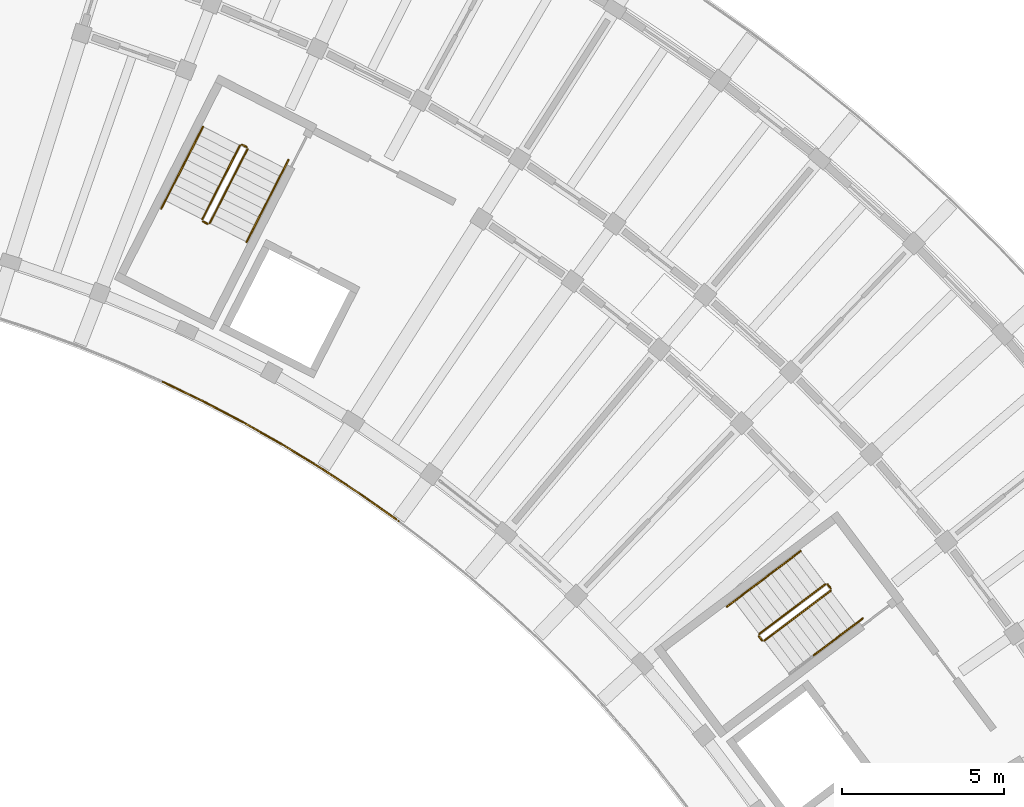
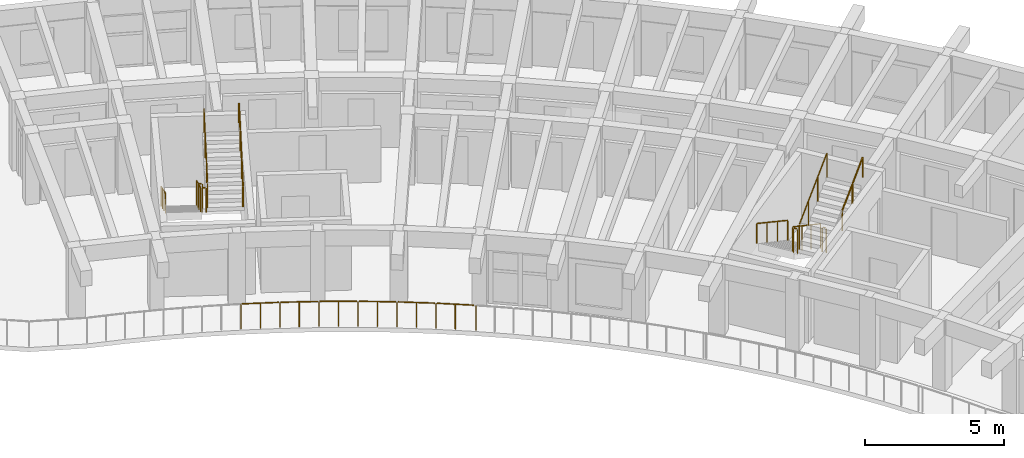
# One storey, part 35 of 36: 20 railings.
"""IFC4 building model written with IfcOpenShell, lengths in metres."""

from ifc_helpers import new_model, si_unit, direction, frame, origin, origin_2d, place, context, subcontext, project, spatial, circle, extrude, material, type_object, element, save


model = new_model("IFC4")

# Units and contexts
model_context = context("Model", 3, precision=1e-05, world=origin(), true_north=direction((0.0, 1.0)))
body_context = subcontext(model_context, "Body", "Model", "MODEL_VIEW")
ifc_project = project(units=[si_unit("LENGTHUNIT", "METRE"), si_unit("AREAUNIT", "SQUARE_METRE"), si_unit("VOLUMEUNIT", "CUBIC_METRE"), si_unit("PLANEANGLEUNIT", "RADIAN"), si_unit("MASSUNIT", "GRAM", prefix="KILO")], contexts=[model_context])

# Site, building, storey
site_placement = place(None, origin())
site = spatial("IfcSite", under=ifc_project, at=site_placement, CompositionType="ELEMENT")
building_placement = place(site_placement, origin())
building = spatial("IfcBuilding", under=site, at=building_placement, Name="Tanwirah Colonnade Gardens", CompositionType="ELEMENT")
storey_placement = place(building_placement, frame((0.0, 0.0, 39.080078125)))
storey = spatial("IfcBuildingStorey", under=building, at=storey_placement, Name="L11", CompositionType="ELEMENT", Elevation=39.080078125)

# Railings
ifc_material_1 = material(Name="Precast concrete C40/50", Category="concrete")
railing_type_1 = type_object("IfcRailingType", Name="BAL-EXT112", PredefinedType="BALUSTRADE", material=ifc_material_1)
railing_1_placement = place(storey_placement, frame((146.2548828125, 94.605224609375, 0.0)))
element("IfcRailing", 1, at=railing_1_placement, inside=storey, type_object=railing_type_1, Name="Block B L11 Balcony Ribbon Balustrade 4", PredefinedType="BALUSTRADE", context=body_context, shape_type="SweptSolid", body=[
    extrude(circle(Radius=0.02392578125, at=origin_2d()), frame((-0.061279296875, 0.044921875, 1.09619140625), z_axis=(-0.816321661452, 0.577597563226, 0.0), x_axis=(-0.577597563226, -0.816321661452, 0.0)), (0.0, 0.0, 1.0), 1.341552734375),
    extrude(circle(Radius=0.02392578125, at=origin_2d()), frame((-1.210205078125, 0.8564453125, 1.09619140625), z_axis=(-0.834927342507, 0.550360184547, 0.0), x_axis=(-0.550360184547, -0.834927342507, 0.0)), (0.0, 0.0, 1.0), 1.341796875),
    extrude(circle(Radius=0.02392578125, at=origin_2d()), frame((-2.385498046875, 1.6298828125, 1.09619140625), z_axis=(-0.852623736113, 0.522525372223, 0.0), x_axis=(-0.522525372223, -0.852623736113, 0.0)), (0.0, 0.0, 1.0), 1.342041015625),
    extrude(circle(Radius=0.02392578125, at=origin_2d()), frame((-3.585693359375, 2.364013671875, 1.09619140625), z_axis=(-0.869342839865, 0.494209496848, 0.0), x_axis=(-0.494209496848, -0.869342839865, 0.0)), (0.0, 0.0, 1.0), 1.342041015625),
    extrude(circle(Radius=0.02392578125, at=origin_2d()), frame((-4.8095703125, 3.05859375, 1.09619140625), z_axis=(-0.885204649416, 0.465201814972, 0.0), x_axis=(-0.465201814972, -0.885204649416, 0.0)), (0.0, 0.0, 1.0), 1.341796875),
    extrude(circle(Radius=0.02392578125, at=origin_2d()), frame((-6.055419921875, 3.712158203125, 1.09619140625), z_axis=(-0.900124070825, 0.43563362717, 0.0), x_axis=(-0.43563362717, -0.900124070825, 0.0)), (0.0, 0.0, 1.0), 1.341796875),
    extrude(circle(Radius=0.02099609375, at=origin_2d()), origin(), (0.0, 0.0, 1.0), 1.069091796875),
    extrude(circle(Radius=0.02099609375, at=origin_2d()), frame((-0.60888671875, 0.432373046875, 0.0)), (0.0, 0.0, 1.0), 1.069091796875),
    extrude(circle(Radius=0.02099609375, at=origin_2d()), frame((-1.181884765625, 0.837890625, 0.0)), (0.0, 0.0, 1.0), 1.069091796875),
    extrude(circle(Radius=0.02099609375, at=origin_2d()), frame((-1.7705078125, 1.225830078125, 0.0)), (0.0, 0.0, 1.0), 1.069091796875),
    extrude(circle(Radius=0.02099609375, at=origin_2d()), frame((-2.356689453125, 1.6123046875, 0.0)), (0.0, 0.0, 1.0), 1.069091796875),
    extrude(circle(Radius=0.02099609375, at=origin_2d()), frame((-2.95751953125, 1.98046875, 0.0)), (0.0, 0.0, 1.0), 1.069091796875),
    extrude(circle(Radius=0.02099609375, at=origin_2d()), frame((-3.556396484375, 2.347412109375, 0.0)), (0.0, 0.0, 1.0), 1.069091796875),
    extrude(circle(Radius=0.02099609375, at=origin_2d()), frame((-4.1689453125, 2.69580078125, 0.0)), (0.0, 0.0, 1.0), 1.069091796875),
    extrude(circle(Radius=0.02099609375, at=origin_2d()), frame((-4.779541015625, 3.042724609375, 0.0)), (0.0, 0.0, 1.0), 1.069091796875),
    extrude(circle(Radius=0.02099609375, at=origin_2d()), frame((-5.403564453125, 3.37060546875, 0.0)), (0.0, 0.0, 1.0), 1.069091796875),
    extrude(circle(Radius=0.02099609375, at=origin_2d()), frame((-6.025146484375, 3.697265625, 0.0)), (0.0, 0.0, 1.0), 1.069091796875),
    extrude(circle(Radius=0.02099609375, at=origin_2d()), frame((-6.659423828125, 4.00439453125, 0.0)), (0.0, 0.0, 1.0), 1.069091796875),
    extrude(circle(Radius=0.02099609375, at=origin_2d()), frame((-7.29150390625, 4.310302734375, 0.0)), (0.0, 0.0, 1.0), 1.069091796875),
])
ifc_material_2 = material(Name="Powder-coated galvanized steel", Category="steel")
railing_type_2 = type_object("IfcRailingType", Name="GRD-ST110", PredefinedType="GUARDRAIL", material=ifc_material_2)
railing_2_placement = place(storey_placement, frame((159.46435546875, 92.6533203125, 0.16796875)))
element("IfcRailing", 2, at=railing_2_placement, inside=storey, type_object=railing_type_2, Name="L11 ST-B1 stair guard 1", PredefinedType="GUARDRAIL", context=body_context, shape_type="SweptSolid", body=[
    extrude(circle(Radius=0.02392578125, at=origin_2d()), frame((-0.021484375, -0.01611328125, 1.092041015625), z_axis=(-0.687998426946, -0.518417885, 0.507839601678), x_axis=(0.601795686627, -0.798650080797, 0.0)), (0.0, 0.0, 1.0), 2.914794921875),
    extrude(circle(Radius=0.02099609375, at=origin_2d()), origin(), (0.0, 0.0, 1.0), 1.049072265625),
    extrude(circle(Radius=0.02099609375, at=origin_2d()), frame((-0.682861328125, -0.514404296875, 0.50390625)), (0.0, 0.0, 1.0), 1.049072265625),
    extrude(circle(Radius=0.02099609375, at=origin_2d()), frame((-1.365478515625, -1.029052734375, 1.008056640625)), (0.0, 0.0, 1.0), 1.049072265625),
    extrude(circle(Radius=0.02099609375, at=origin_2d()), frame((-2.04833984375, -1.54345703125, 1.511962890625)), (0.0, 0.0, 1.0), 1.049072265625),
])
railing_3_placement = place(storey_placement, frame((157.406005859375, 91.039794921875, 1.679931640625)))
element("IfcRailing", 3, at=railing_3_placement, inside=storey, type_object=railing_type_2, Name="L11 ST-B1 stair guard 2", PredefinedType="GUARDRAIL", context=body_context, shape_type="SweptSolid", body=[
    extrude(circle(Radius=0.02392578125, at=origin_2d()), frame((0.018798828125, -0.02490234375, 1.076171875), z_axis=(0.601948835455, -0.798534657667, 0.0), x_axis=(0.798534657667, 0.601948835455, 0.0)), (0.0, 0.0, 1.0), 0.09765625),
    extrude(circle(Radius=0.02099609375, at=origin_2d()), origin(), (0.0, 0.0, 1.0), 1.049072265625),
    extrude(circle(Radius=0.02099609375, at=origin_2d()), frame((0.096435546875, -0.1279296875, 0.0)), (0.0, 0.0, 1.0), 1.049072265625),
])
railing_4_placement = place(storey_placement, frame((157.572265625, 90.902099609375, 1.847900390625)))
element("IfcRailing", 4, at=railing_4_placement, inside=storey, type_object=railing_type_2, Name="L11 ST-B1 stair guard 3", PredefinedType="GUARDRAIL", context=body_context, shape_type="SweptSolid", body=[
    extrude(circle(Radius=0.02392578125, at=origin_2d()), frame((0.021484375, 0.01611328125, 1.092041015625), z_axis=(0.688012363654, 0.518448596756, 0.507789365762), x_axis=(-0.601810650199, 0.798638805285, 0.0)), (0.0, 0.0, 1.0), 2.9150390625),
    extrude(circle(Radius=0.02099609375, at=origin_2d()), origin(), (0.0, 0.0, 1.0), 1.049072265625),
    extrude(circle(Radius=0.02099609375, at=origin_2d()), frame((0.682861328125, 0.5146484375, 0.50390625)), (0.0, 0.0, 1.0), 1.049072265625),
    extrude(circle(Radius=0.02099609375, at=origin_2d()), frame((1.36572265625, 1.029052734375, 1.008056640625)), (0.0, 0.0, 1.0), 1.049072265625),
    extrude(circle(Radius=0.02099609375, at=origin_2d()), frame((2.048583984375, 1.543701171875, 1.511962890625)), (0.0, 0.0, 1.0), 1.049072265625),
])
railing_5_placement = place(storey_placement, frame((159.534423828125, 92.6435546875, 0.0)))
element("IfcRailing", 5, at=railing_5_placement, inside=storey, type_object=railing_type_2, Name="L11 ST-B1 stair guard 4", PredefinedType="GUARDRAIL", context=body_context, shape_type="SweptSolid", body=[
    extrude(circle(Radius=0.02392578125, at=origin_2d()), frame((0.018798828125, -0.02490234375, 1.076171875), z_axis=(0.601709070646, -0.798715339969, 0.0), x_axis=(0.798715339969, 0.601709070646, 0.0)), (0.0, 0.0, 1.0), 0.097412109375),
    extrude(circle(Radius=0.02099609375, at=origin_2d()), origin(), (0.0, 0.0, 1.0), 1.049072265625),
    extrude(circle(Radius=0.02099609375, at=origin_2d()), frame((0.09619140625, -0.127685546875, 0.0)), (0.0, 0.0, 1.0), 1.049072265625),
])
railing_6_placement = place(storey_placement, frame((141.344970703125, 106.230712890625, 0.16796875)))
element("IfcRailing", 6, at=railing_6_placement, inside=storey, type_object=railing_type_2, Name="L11 ST-B2 stair guard 1", PredefinedType="GUARDRAIL", context=body_context, shape_type="SweptSolid", body=[
    extrude(circle(Radius=0.02392578125, at=origin_2d()), frame((-0.01220703125, -0.02392578125, 1.092041015625), z_axis=(-0.3911222872, -0.767567239095, 0.507803003067), x_axis=(0.890993730975, -0.45401560696, 0.0)), (0.0, 0.0, 1.0), 2.9150390625),
    extrude(circle(Radius=0.02099609375, at=origin_2d()), origin(), (0.0, 0.0, 1.0), 1.049072265625),
    extrude(circle(Radius=0.02099609375, at=origin_2d()), frame((-0.38818359375, -0.76171875, 0.50390625)), (0.0, 0.0, 1.0), 1.049072265625),
    extrude(circle(Radius=0.02099609375, at=origin_2d()), frame((-0.7763671875, -1.523681640625, 1.008056640625)), (0.0, 0.0, 1.0), 1.049072265625),
    extrude(circle(Radius=0.02099609375, at=origin_2d()), frame((-1.16455078125, -2.285400390625, 1.511962890625)), (0.0, 0.0, 1.0), 1.049072265625),
])
railing_7_placement = place(storey_placement, frame((140.202392578125, 103.8779296875, 1.679931640625)))
element("IfcRailing", 7, at=railing_7_placement, inside=storey, type_object=railing_type_2, Name="L11 ST-B2 stair guard 2", PredefinedType="GUARDRAIL", context=body_context, shape_type="SweptSolid", body=[
    extrude(circle(Radius=0.02392578125, at=origin_2d()), frame((0.02783203125, -0.01416015625, 1.076171875), z_axis=(0.891353773095, -0.453308340084, 0.0), x_axis=(0.453308340084, 0.891353773095, 0.0)), (0.0, 0.0, 1.0), 0.097412109375),
    extrude(circle(Radius=0.02099609375, at=origin_2d()), origin(), (0.0, 0.0, 1.0), 1.049072265625),
    extrude(circle(Radius=0.02099609375, at=origin_2d()), frame((0.142578125, -0.072509765625, 0.0)), (0.0, 0.0, 1.0), 1.049072265625),
])
railing_8_placement = place(storey_placement, frame((140.412109375, 103.8271484375, 1.847900390625)))
element("IfcRailing", 8, at=railing_8_placement, inside=storey, type_object=railing_type_2, Name="L11 ST-B2 stair guard 3", PredefinedType="GUARDRAIL", context=body_context, shape_type="SweptSolid", body=[
    extrude(circle(Radius=0.02392578125, at=origin_2d()), frame((0.01220703125, 0.02392578125, 1.092041015625), z_axis=(0.3911222872, 0.767567239095, 0.507803003067), x_axis=(-0.890993730975, 0.45401560696, 0.0)), (0.0, 0.0, 1.0), 2.9150390625),
    extrude(circle(Radius=0.02099609375, at=origin_2d()), origin(), (0.0, 0.0, 1.0), 1.049072265625),
    extrude(circle(Radius=0.02099609375, at=origin_2d()), frame((0.38818359375, 0.76171875, 0.50390625)), (0.0, 0.0, 1.0), 1.049072265625),
    extrude(circle(Radius=0.02099609375, at=origin_2d()), frame((0.7763671875, 1.523681640625, 1.008056640625)), (0.0, 0.0, 1.0), 1.049072265625),
    extrude(circle(Radius=0.02099609375, at=origin_2d()), frame((1.16455078125, 2.285400390625, 1.511962890625)), (0.0, 0.0, 1.0), 1.049072265625),
])
railing_9_placement = place(storey_placement, frame((141.412109375, 106.25244140625, 0.0)))
element("IfcRailing", 9, at=railing_9_placement, inside=storey, type_object=railing_type_2, Name="L11 ST-B2 stair guard 4", PredefinedType="GUARDRAIL", context=body_context, shape_type="SweptSolid", body=[
    extrude(circle(Radius=0.02392578125, at=origin_2d()), frame((0.02783203125, -0.01416015625, 1.076171875), z_axis=(0.891353773095, -0.453308340084, 0.0), x_axis=(0.453308340084, 0.891353773095, 0.0)), (0.0, 0.0, 1.0), 0.097412109375),
    extrude(circle(Radius=0.02099609375, at=origin_2d()), origin(), (0.0, 0.0, 1.0), 1.049072265625),
    extrude(circle(Radius=0.02099609375, at=origin_2d()), frame((0.142578125, -0.072509765625, 0.0)), (0.0, 0.0, 1.0), 1.049072265625),
])
ifc_material_3 = material(Name="Brushed bronze stainless steel", Category="steel")
railing_type_3 = type_object("IfcRailingType", Name="HR-ST090", PredefinedType="HANDRAIL", material=ifc_material_3)
railing_10_placement = place(storey_placement, frame((158.694091796875, 93.67578125, 0.16796875)))
element("IfcRailing", 10, at=railing_10_placement, inside=storey, type_object=railing_type_3, Name="L11 ST-B1 stair handrail 1", PredefinedType="HANDRAIL", context=body_context, shape_type="SweptSolid", body=[
    extrude(circle(Radius=0.02392578125, at=origin_2d()), frame((-0.021484375, -0.01611328125, 0.891845703125), z_axis=(-0.686145346169, -0.517037451972, 0.51173903231), x_axis=(0.601807485929, -0.798641189696, 0.0)), (0.0, 0.0, 1.0), 1.04345703125),
    extrude(circle(Radius=0.02099609375, at=origin_2d()), origin(), (0.0, 0.0, 1.0), 0.848876953125),
    extrude(circle(Radius=0.02099609375, at=origin_2d()), frame((-0.7587890625, -0.57177734375, 0.56591796875)), (0.0, 0.0, 1.0), 0.848876953125),
])
railing_11_placement = place(storey_placement, frame((157.935302734375, 93.10400390625, 0.73388671875)))
element("IfcRailing", 11, at=railing_11_placement, inside=storey, type_object=railing_type_3, Name="L11 ST-B1 stair handrail 2", PredefinedType="HANDRAIL", context=body_context, shape_type="SweptSolid", body=[
    extrude(circle(Radius=0.02392578125, at=origin_2d()), frame((-0.021484375, -0.01611328125, 0.891845703125), z_axis=(-0.686028488458, -0.517115777267, 0.511816554955), x_axis=(0.601931007785, -0.798548096152, 0.0)), (0.0, 0.0, 1.0), 1.043212890625),
    extrude(circle(Radius=0.02099609375, at=origin_2d()), origin(), (0.0, 0.0, 1.0), 0.848876953125),
    extrude(circle(Radius=0.02099609375, at=origin_2d()), frame((-0.758544921875, -0.57177734375, 0.56591796875)), (0.0, 0.0, 1.0), 0.848876953125),
])
railing_12_placement = place(storey_placement, frame((157.1767578125, 92.5322265625, 1.2998046875)))
element("IfcRailing", 12, at=railing_12_placement, inside=storey, type_object=railing_type_3, Name="L11 ST-B1 stair handrail 3", PredefinedType="HANDRAIL", context=body_context, shape_type="SweptSolid", body=[
    extrude(circle(Radius=0.02392578125, at=origin_2d()), frame((-0.021484375, -0.01611328125, 0.891845703125), z_axis=(-0.686067825084, -0.516979036791, 0.511901958292), x_axis=(0.601807485929, -0.798641189696, 0.0)), (0.0, 0.0, 1.0), 1.04345703125),
    extrude(circle(Radius=0.02099609375, at=origin_2d()), origin(), (0.0, 0.0, 1.0), 0.848876953125),
    extrude(circle(Radius=0.02099609375, at=origin_2d()), frame((-0.7587890625, -0.57177734375, 0.566162109375)), (0.0, 0.0, 1.0), 0.848876953125),
])
railing_13_placement = place(storey_placement, frame((159.101318359375, 90.45166015625, 2.413818359375)))
element("IfcRailing", 13, at=railing_13_placement, inside=storey, type_object=railing_type_3, Name="L11 ST-B1 stair handrail 5", PredefinedType="HANDRAIL", context=body_context, shape_type="SweptSolid", body=[
    extrude(circle(Radius=0.02392578125, at=origin_2d()), frame((0.021484375, 0.01611328125, 0.891845703125), z_axis=(0.686067825084, 0.516979036791, 0.511901958292), x_axis=(-0.601807485929, 0.798641189696, 0.0)), (0.0, 0.0, 1.0), 1.04345703125),
    extrude(circle(Radius=0.02099609375, at=origin_2d()), origin(), (0.0, 0.0, 1.0), 0.848876953125),
    extrude(circle(Radius=0.02099609375, at=origin_2d()), frame((0.7587890625, 0.57177734375, 0.566162109375)), (0.0, 0.0, 1.0), 0.848876953125),
])
railing_14_placement = place(storey_placement, frame((159.860107421875, 91.0234375, 2.97998046875)))
element("IfcRailing", 14, at=railing_14_placement, inside=storey, type_object=railing_type_3, Name="L11 ST-B1 stair handrail 6", PredefinedType="HANDRAIL", context=body_context, shape_type="SweptSolid", body=[
    extrude(circle(Radius=0.02392578125, at=origin_2d()), frame((0.021484375, 0.01611328125, 0.891845703125), z_axis=(0.686223662955, 0.51687567406, 0.51179744232), x_axis=(-0.601643549736, 0.798764695677, 0.0)), (0.0, 0.0, 1.0), 1.043212890625),
    extrude(circle(Radius=0.02099609375, at=origin_2d()), origin(), (0.0, 0.0, 1.0), 0.848876953125),
    extrude(circle(Radius=0.02099609375, at=origin_2d()), frame((0.7587890625, 0.571533203125, 0.56591796875)), (0.0, 0.0, 1.0), 0.848876953125),
])
railing_15_placement = place(storey_placement, frame((140.204345703125, 106.811767578125, 0.16796875)))
element("IfcRailing", 15, at=railing_15_placement, inside=storey, type_object=railing_type_3, Name="L11 ST-B2 stair handrail 1", PredefinedType="HANDRAIL", context=body_context, shape_type="SweptSolid", body=[
    extrude(circle(Radius=0.02392578125, at=origin_2d()), frame((-0.01220703125, -0.02392578125, 0.891845703125), z_axis=(-0.38993033558, -0.765508761867, 0.511811165275), x_axis=(0.891061070925, -0.453883429839, 0.0)), (0.0, 0.0, 1.0), 1.043212890625),
    extrude(circle(Radius=0.02099609375, at=origin_2d()), origin(), (0.0, 0.0, 1.0), 0.848876953125),
    extrude(circle(Radius=0.02099609375, at=origin_2d()), frame((-0.43115234375, -0.846435546875, 0.56591796875)), (0.0, 0.0, 1.0), 0.848876953125),
])
railing_16_placement = place(storey_placement, frame((139.773193359375, 105.96533203125, 0.73388671875)))
element("IfcRailing", 16, at=railing_16_placement, inside=storey, type_object=railing_type_3, Name="L11 ST-B2 stair handrail 2", PredefinedType="HANDRAIL", context=body_context, shape_type="SweptSolid", body=[
    extrude(circle(Radius=0.02392578125, at=origin_2d()), frame((-0.01220703125, -0.02392578125, 0.891845703125), z_axis=(-0.390117538533, -0.765442844423, 0.51176709356), x_axis=(0.890957114254, -0.454087459154, 0.0)), (0.0, 0.0, 1.0), 1.043212890625),
    extrude(circle(Radius=0.02099609375, at=origin_2d()), origin(), (0.0, 0.0, 1.0), 0.848876953125),
    extrude(circle(Radius=0.02099609375, at=origin_2d()), frame((-0.431396484375, -0.846435546875, 0.56591796875)), (0.0, 0.0, 1.0), 0.848876953125),
])
railing_17_placement = place(storey_placement, frame((139.341796875, 105.118896484375, 1.2998046875)))
element("IfcRailing", 17, at=railing_17_placement, inside=storey, type_object=railing_type_3, Name="L11 ST-B2 stair handrail 3", PredefinedType="HANDRAIL", context=body_context, shape_type="SweptSolid", body=[
    extrude(circle(Radius=0.02392578125, at=origin_2d()), frame((-0.01220703125, -0.02392578125, 0.891845703125), z_axis=(-0.389886268615, -0.765422249879, 0.511974097915), x_axis=(0.891061070925, -0.453883429839, 0.0)), (0.0, 0.0, 1.0), 1.043212890625),
    extrude(circle(Radius=0.02099609375, at=origin_2d()), origin(), (0.0, 0.0, 1.0), 0.848876953125),
    extrude(circle(Radius=0.02099609375, at=origin_2d()), frame((-0.43115234375, -0.846435546875, 0.566162109375)), (0.0, 0.0, 1.0), 0.848876953125),
])
railing_18_placement = place(storey_placement, frame((141.552490234375, 103.24609375, 1.847900390625)))
element("IfcRailing", 18, at=railing_18_placement, inside=storey, type_object=railing_type_3, Name="L11 ST-B2 stair handrail 4", PredefinedType="HANDRAIL", context=body_context, shape_type="SweptSolid", body=[
    extrude(circle(Radius=0.02392578125, at=origin_2d()), frame((0.01220703125, 0.02392578125, 0.891845703125), z_axis=(0.390117538533, 0.765442844423, 0.51176709356), x_axis=(-0.890957114254, 0.454087459154, 0.0)), (0.0, 0.0, 1.0), 1.043212890625),
    extrude(circle(Radius=0.02099609375, at=origin_2d()), origin(), (0.0, 0.0, 1.0), 0.848876953125),
    extrude(circle(Radius=0.02099609375, at=origin_2d()), frame((0.431396484375, 0.846435546875, 0.56591796875)), (0.0, 0.0, 1.0), 0.848876953125),
])
railing_19_placement = place(storey_placement, frame((141.98388671875, 104.092529296875, 2.413818359375)))
element("IfcRailing", 19, at=railing_19_placement, inside=storey, type_object=railing_type_3, Name="L11 ST-B2 stair handrail 5", PredefinedType="HANDRAIL", context=body_context, shape_type="SweptSolid", body=[
    extrude(circle(Radius=0.02392578125, at=origin_2d()), frame((0.01220703125, 0.02392578125, 0.891845703125), z_axis=(0.390073458003, 0.765356354779, 0.511930022133), x_axis=(-0.890957114254, 0.454087459154, 0.0)), (0.0, 0.0, 1.0), 1.04345703125),
    extrude(circle(Radius=0.02099609375, at=origin_2d()), origin(), (0.0, 0.0, 1.0), 0.848876953125),
    extrude(circle(Radius=0.02099609375, at=origin_2d()), frame((0.431396484375, 0.846435546875, 0.566162109375)), (0.0, 0.0, 1.0), 0.848876953125),
])
railing_20_placement = place(storey_placement, frame((142.415283203125, 104.93896484375, 2.97998046875)))
element("IfcRailing", 20, at=railing_20_placement, inside=storey, type_object=railing_type_3, Name="L11 ST-B2 stair handrail 6", PredefinedType="HANDRAIL", context=body_context, shape_type="SweptSolid", body=[
    extrude(circle(Radius=0.02392578125, at=origin_2d()), frame((0.01220703125, 0.02392578125, 0.891845703125), z_axis=(0.38993033558, 0.765508761867, 0.511811165275), x_axis=(-0.891061070925, 0.453883429839, 0.0)), (0.0, 0.0, 1.0), 1.043212890625),
    extrude(circle(Radius=0.02099609375, at=origin_2d()), origin(), (0.0, 0.0, 1.0), 0.848876953125),
    extrude(circle(Radius=0.02099609375, at=origin_2d()), frame((0.43115234375, 0.846435546875, 0.56591796875)), (0.0, 0.0, 1.0), 0.848876953125),
])

save(model, "model.ifc")
